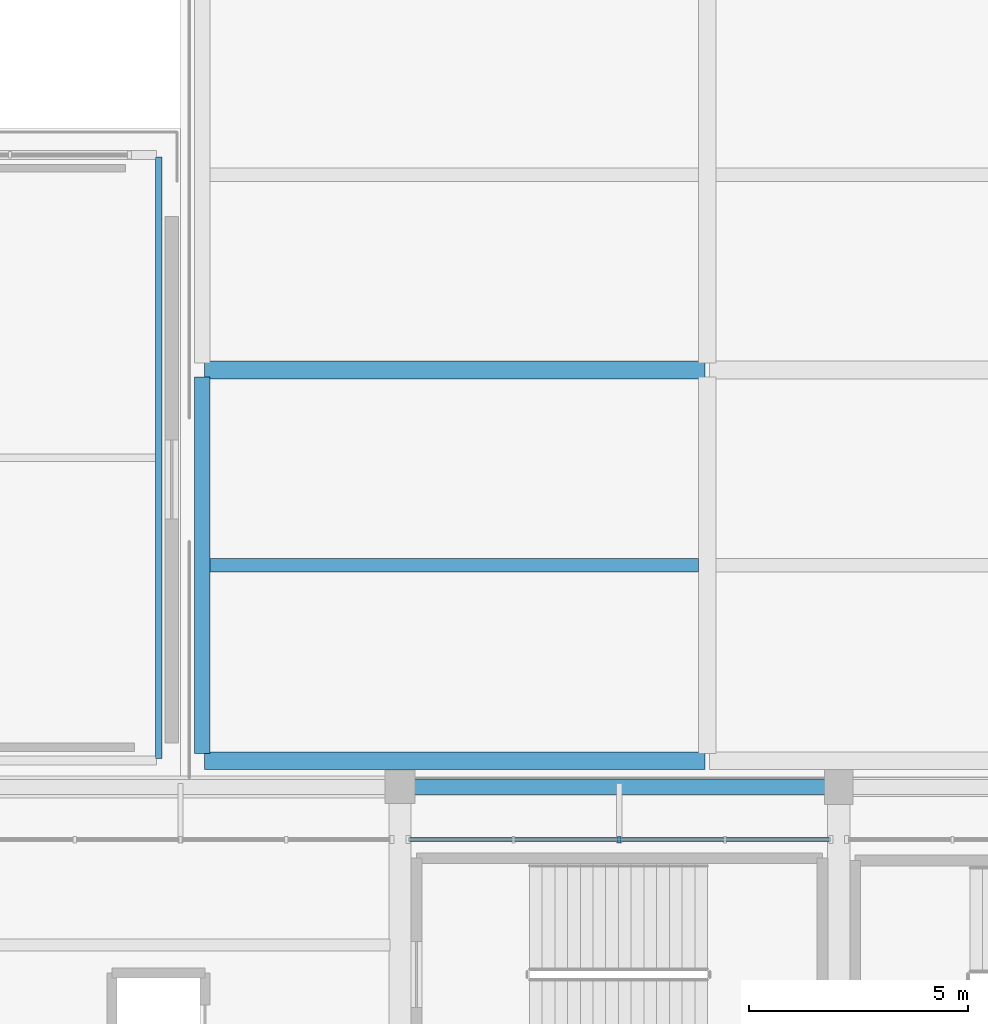
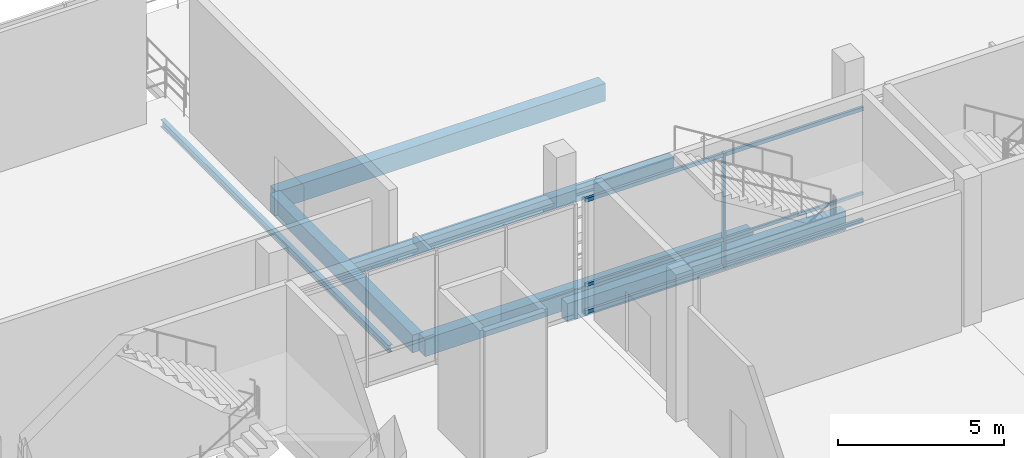
# One storey, part 52 of 111: 6 beams, 4 members, 1 element without a shape of its own.
"""IFC4 building model written with IfcOpenShell, lengths in metres."""

from ifc_helpers import new_model, si_unit, direction, frame, origin, origin_2d, place, context, subcontext, project, spatial, rectangle, i_section, extrude, material, material_profile, profile_set, type_object, element, aggregate, save


model = new_model("IFC4")

# Units and contexts
model_context = context("Model", 3, precision=1e-05, world=origin(), true_north=direction((0.0, 1.0)))
body_context = subcontext(model_context, "Body", "Model", "MODEL_VIEW")
ifc_project = project(units=[si_unit("LENGTHUNIT", "METRE"), si_unit("AREAUNIT", "SQUARE_METRE"), si_unit("VOLUMEUNIT", "CUBIC_METRE"), si_unit("PLANEANGLEUNIT", "RADIAN"), si_unit("MASSUNIT", "GRAM", prefix="KILO")], contexts=[model_context])

# Site, building, storey
site_placement = place(None, origin())
site = spatial("IfcSite", under=ifc_project, at=site_placement, CompositionType="ELEMENT")
building_placement = place(site_placement, origin())
building = spatial("IfcBuilding", under=site, at=building_placement, Name="Candeia Ridge Stadium", CompositionType="ELEMENT")
storey_placement = place(building_placement, frame((0.0, 0.0, 16.199951171875)))
storey = spatial("IfcBuildingStorey", under=building, at=storey_placement, Name="L03", CompositionType="ELEMENT", Elevation=16.199951171875)

# Beam
ifc_material_1 = material(Name="Steel ASTM A572 Grade 50", Category="steel")
ifc_material_profile_1 = material_profile(ifc_material_1, i_section(OverallWidth=0.14794921875, OverallDepth=0.26611328125, WebThickness=0.007568359375, FlangeThickness=0.012939453125, FilletRadius=0.010986328125, at=origin_2d()), Name="W250x44.8", Category="steel")
ifc_profile_set_1 = profile_set([ifc_material_profile_1], Name="Steel ASTM A572 Grade 50")
beam_type_1 = type_object("IfcBeamType", Name="Canopy Edge Spandrel W250x44.8", PredefinedType="SPANDREL", material=ifc_profile_set_1)
beam_1_placement = place(storey_placement, frame((115.5, 147.64990234375, -0.412841796875), z_axis=(0.0, 1.0, 0.0), x_axis=(-1.0, 0.0, 0.0)))
element("IfcBeam", 1, at=beam_1_placement, inside=storey, type_object=beam_type_1, Name="Structural girder BM-L03-2377", PredefinedType="SPANDREL", context=body_context, shape_type="SweptSolid", body=[
    extrude(i_section(OverallWidth=0.14794921875, OverallDepth=0.26611328125, WebThickness=0.007568359375, FlangeThickness=0.012939453125, FilletRadius=0.010986328125, at=origin_2d()), origin(), (0.0, 0.0, 1.0), 13.7001953125),
])

# Curtain wall, members
ifc_material_2 = material(Name="Aluminium Anodized Warm Bronze", Category="aluminium")
curtain_wall_type = type_object("IfcCurtainWallType", Name="Concourse Recessed Unitised Curtain Wall", PredefinedType="NOTDEFINED", material=ifc_material_2)
curtain_wall_placement = place(storey_placement, origin())
curtain_wall = element("IfcCurtainWall", 2, at=curtain_wall_placement, inside=storey, type_object=curtain_wall_type, Name="Unitised curtain wall CW-BWL-L03-01", PredefinedType="NOTDEFINED")
ifc_material_profile_2 = material_profile(ifc_material_2, rectangle(XDim=0.074951171875, YDim=0.14990234375, at=origin_2d()), Name="CWM-75x150", Category="aluminium")
ifc_profile_set_2 = profile_set([ifc_material_profile_2], Name="Aluminium Anodized Warm Bronze")
member_type_1 = type_object("IfcMemberType", Name="Curtain Wall Secondary Mullion 75x150", PredefinedType="MULLION", material=ifc_profile_set_2)
member_1_placement = place(storey_placement, frame((126.0, 145.800048828125, 0.0), z_axis=(0.0, 0.0, 1.0), x_axis=(1.0, 0.0, 0.0)))
member_1 = element("IfcMember", 3, at=member_1_placement, type_object=member_type_1, Name="Curtain wall mullion CW-BWL-L03-01-M2", PredefinedType="MULLION", context=body_context, shape_type="SweptSolid", body=[
    extrude(rectangle(XDim=0.074951171875, YDim=0.14990234375, at=origin_2d()), origin(), (0.0, 0.0, 1.0), 4.2451171875),
])
ifc_material_profile_3 = material_profile(ifc_material_2, rectangle(XDim=0.074951171875, YDim=0.110107421875, at=origin_2d()), Name="CWT-75x110", Category="aluminium")
ifc_profile_set_3 = profile_set([ifc_material_profile_3], Name="Aluminium Anodized Warm Bronze")
member_type_2 = type_object("IfcMemberType", Name="Curtain Wall Secondary Transom 75x110", PredefinedType="USERDEFINED", material=ifc_profile_set_3)
member_2_placement = place(storey_placement, frame((130.820068359375, 145.800048828125, 1.061279296875), z_axis=(-1.0, 0.0, 0.0), x_axis=(0.0, -1.0, 0.0)))
member_2 = element("IfcMember", 4, at=member_2_placement, type_object=member_type_2, Name="Curtain wall transom CW-BWL-L03-01-T1", ObjectType="TRANSOM", PredefinedType="USERDEFINED", context=body_context, shape_type="SweptSolid", body=[
    extrude(rectangle(XDim=0.074951171875, YDim=0.110107421875, at=origin_2d()), origin(), (0.0, 0.0, 1.0), 9.64013671875),
])
ifc_material_profile_4 = material_profile(ifc_material_2, rectangle(XDim=0.090087890625, YDim=0.139892578125, at=origin_2d()), Name="CWT-90x140", Category="aluminium")
ifc_profile_set_4 = profile_set([ifc_material_profile_4], Name="Aluminium Anodized Warm Bronze")
member_type_3 = type_object("IfcMemberType", Name="Curtain Wall Transom 90x140", PredefinedType="USERDEFINED", material=ifc_profile_set_4)
member_3_placement = place(storey_placement, frame((130.820068359375, 145.800048828125, 0.070068359375), z_axis=(-1.0, 0.0, 0.0), x_axis=(0.0, -1.0, 0.0)))
member_3 = element("IfcMember", 5, at=member_3_placement, type_object=member_type_3, Name="Curtain wall transom CW-BWL-L03-01-T0", ObjectType="TRANSOM", PredefinedType="USERDEFINED", context=body_context, shape_type="SweptSolid", body=[
    extrude(rectangle(XDim=0.090087890625, YDim=0.139892578125, at=origin_2d()), origin(), (0.0, 0.0, 1.0), 9.64013671875),
])
member_4_placement = place(storey_placement, frame((130.820068359375, 145.800048828125, 4.175048828125), z_axis=(-1.0, 0.0, 0.0), x_axis=(0.0, -1.0, 0.0)))
member_4 = element("IfcMember", 6, at=member_4_placement, type_object=member_type_3, Name="Curtain wall transom CW-BWL-L03-01-T2", ObjectType="TRANSOM", PredefinedType="USERDEFINED", context=body_context, shape_type="SweptSolid", body=[
    extrude(rectangle(XDim=0.090087890625, YDim=0.139892578125, at=origin_2d()), origin(), (0.0, 0.0, 1.0), 9.64013671875),
])
aggregate(curtain_wall, [member_1, member_3, member_2, member_4])

# Beams
ifc_material_3 = material(Name="Concrete C40/50", Category="concrete")
ifc_material_profile_5 = material_profile(ifc_material_3, rectangle(XDim=0.300048828125, YDim=0.449951171875, at=origin_2d()), Name="RC300x450", Category="concrete")
ifc_profile_set_5 = profile_set([ifc_material_profile_5], Name="Concrete C40/50")
beam_type_2 = type_object("IfcBeamType", Name="Floor Joist RC300x450", PredefinedType="JOIST", material=ifc_profile_set_5)
beam_2_placement = place(storey_placement, frame((116.674560546875, 152.050048828125, -0.5048828125), z_axis=(1.0, 0.0, 0.0), x_axis=(0.0, 1.0, 0.0)))
element("IfcBeam", 7, at=beam_2_placement, inside=storey, type_object=beam_type_2, Name="Wing secondary joist BM-L03-1909", PredefinedType="JOIST", context=body_context, shape_type="SweptSolid", body=[
    extrude(rectangle(XDim=0.300048828125, YDim=0.449951171875, at=origin_2d()), origin(), (0.0, 0.0, 1.0), 11.1259765625),
])
ifc_material_profile_6 = material_profile(ifc_material_3, rectangle(XDim=0.340087890625, YDim=0.679931640625, at=origin_2d()), Name="RC340x680", Category="concrete")
ifc_profile_set_6 = profile_set([ifc_material_profile_6], Name="Concrete C40/50")
beam_type_3 = type_object("IfcBeamType", Name="Spandrel Beam RC340x680", PredefinedType="SPANDREL", material=ifc_profile_set_6)
beam_3_placement = place(storey_placement, frame((130.840087890625, 147.0, -0.58984375), z_axis=(-1.0, 0.0, 0.0), x_axis=(0.0, -1.0, 0.0)))
element("IfcBeam", 8, at=beam_3_placement, inside=storey, type_object=beam_type_3, Name="Bowl perimeter spandrel BM-L03-0559", PredefinedType="SPANDREL", context=body_context, shape_type="SweptSolid", body=[
    extrude(rectangle(XDim=0.340087890625, YDim=0.679931640625, at=origin_2d()), origin(), (0.0, 0.0, 1.0), 9.68017578125),
])
ifc_material_profile_7 = material_profile(ifc_material_3, rectangle(XDim=0.35009765625, YDim=0.64990234375, at=origin_2d()), Name="RC350x650", Category="concrete")
ifc_profile_set_7 = profile_set([ifc_material_profile_7], Name="Concrete C40/50")
beam_type_4 = type_object("IfcBeamType", Name="Spandrel Beam RC350x650", PredefinedType="SPANDREL", material=ifc_profile_set_7)
beam_4_placement = place(storey_placement, frame((116.5, 147.760009765625, -0.60498046875), z_axis=(0.0, 1.0, 0.0), x_axis=(-1.0, 0.0, 0.0)))
element("IfcBeam", 9, at=beam_4_placement, inside=storey, type_object=beam_type_4, Name="Structural girder BM-L03-1894", PredefinedType="SPANDREL", context=body_context, shape_type="SweptSolid", body=[
    extrude(rectangle(XDim=0.35009765625, YDim=0.64990234375, at=origin_2d()), origin(), (0.0, 0.0, 1.0), 8.580078125),
])
ifc_material_profile_8 = material_profile(ifc_material_3, rectangle(XDim=0.39990234375, YDim=0.64990234375, at=origin_2d()), Name="RC400x650", Category="concrete")
ifc_profile_set_8 = profile_set([ifc_material_profile_8], Name="Concrete C40/50")
beam_type_5 = type_object("IfcBeamType", Name="Wing Primary Girder RC400x650", PredefinedType="BEAM", material=ifc_profile_set_8)
for number, where, z_axis, x_axis, name in (
    (10, (116.550048828125, 147.60009765625, -0.60498046875), (1.0, 0.0, 0.0), (0.0, 1.0, 0.0), "Structural girder BM-L03-1908"),
    (11, (116.550048828125, 156.5, -0.60498046875), (1.0, 0.0, 0.0), (0.0, 1.0, 0.0), "Structural girder BM-L03-1910"),
):
    element("IfcBeam", number, at=place(storey_placement, frame(where, z_axis=z_axis, x_axis=x_axis)), inside=storey, type_object=beam_type_5, Name=name, PredefinedType="BEAM", context=body_context, shape_type="SweptSolid", body=[
        extrude(rectangle(XDim=0.39990234375, YDim=0.64990234375, at=origin_2d()), origin(), (0.0, 0.0, 1.0), 11.39990234375),
    ])

save(model, "model.ifc")
